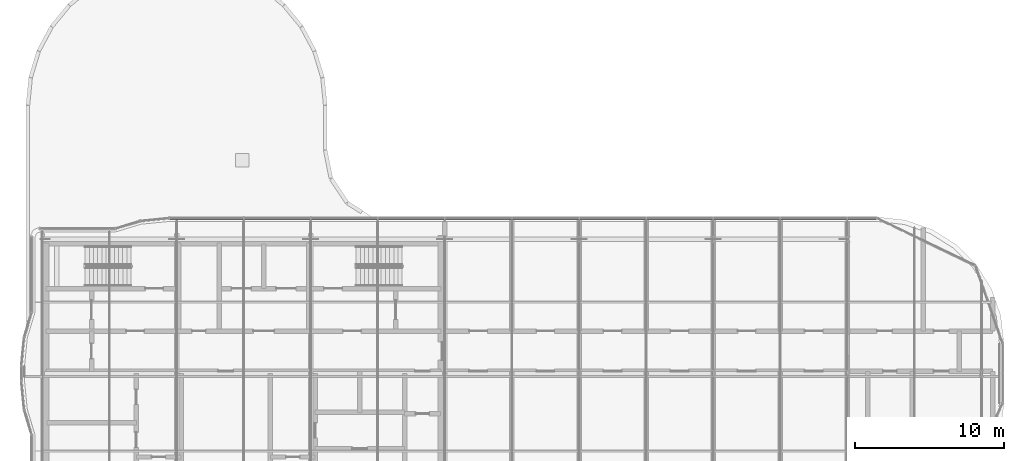
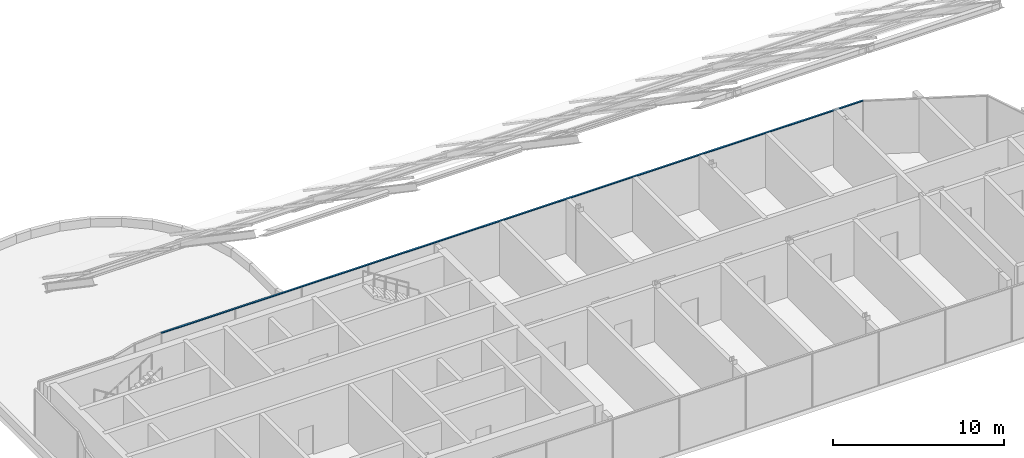
# One storey, part 15 of 25: 1 member, 1 element without a shape of its own.
"""IFC4 building model written with IfcOpenShell, lengths in metres."""

from ifc_helpers import new_model, si_unit, direction, frame, origin, origin_2d, place, context, subcontext, project, spatial, rectangle, extrude, material, material_profile, profile_set, type_object, element, aggregate, save


model = new_model("IFC4")

# Units and contexts
model_context = context("Model", 3, precision=1e-05, world=origin(), true_north=direction((0.0, 1.0)))
body_context = subcontext(model_context, "Body", "Model", "MODEL_VIEW")
ifc_project = project(units=[si_unit("LENGTHUNIT", "METRE"), si_unit("AREAUNIT", "SQUARE_METRE"), si_unit("VOLUMEUNIT", "CUBIC_METRE"), si_unit("PLANEANGLEUNIT", "RADIAN"), si_unit("MASSUNIT", "GRAM", prefix="KILO")], contexts=[model_context])

# Site, building, storey
site_placement = place(None, origin())
site = spatial("IfcSite", under=ifc_project, at=site_placement, CompositionType="ELEMENT")
building_placement = place(site_placement, origin())
building = spatial("IfcBuilding", under=site, at=building_placement, Name="Ogive Portal Towers", CompositionType="ELEMENT")
storey_placement = place(building_placement, frame((0.0, 0.0, 272.89990234375)))
storey = spatial("IfcBuildingStorey", under=building, at=storey_placement, Name="L66", CompositionType="ELEMENT", Elevation=272.89990234375)

# Curtain wall, member
ifc_material_1 = material(Name="Glass, clear low-iron insulated glazing", Category="glass")
curtain_wall_type = type_object("IfcCurtainWallType", Name="CW CROWN GLAZING", PredefinedType="NOTDEFINED", material=ifc_material_1)
curtain_wall_placement = place(storey_placement, origin())
curtain_wall = element("IfcCurtainWall", 1, at=curtain_wall_placement, inside=storey, type_object=curtain_wall_type, Name="A:L66:c12:cw", PredefinedType="NOTDEFINED")
ifc_material_2 = material(Name="Aluminium 6063 anodised", Category="aluminium")
ifc_material_profile = material_profile(ifc_material_2, rectangle(XDim=0.1201171875, YDim=0.06005859375, at=origin_2d()), Name="AL 120x60")
ifc_profile_set = profile_set([ifc_material_profile], Name="Aluminium 6063 anodised")
member_type = type_object("IfcMemberType", Name="CW TRANSOM 60x120", PredefinedType="USERDEFINED", material=ifc_profile_set)
member_placement = place(storey_placement, frame((87.481689453125, 40.919921875, 3.8701171875), z_axis=(-1.0, 0.0, 0.0), x_axis=(0.0, -1.0, 0.0)))
member = element("IfcMember", 2, at=member_placement, type_object=member_type, Name="transom", ObjectType="TRANSOM", PredefinedType="USERDEFINED", context=body_context, shape_type="SweptSolid", body=[
    extrude(rectangle(XDim=0.1201171875, YDim=0.06005859375, at=origin_2d()), origin(), (0.0, 0.0, 1.0), 47.477783203125),
])
aggregate(curtain_wall, [member])

save(model, "model.ifc")
